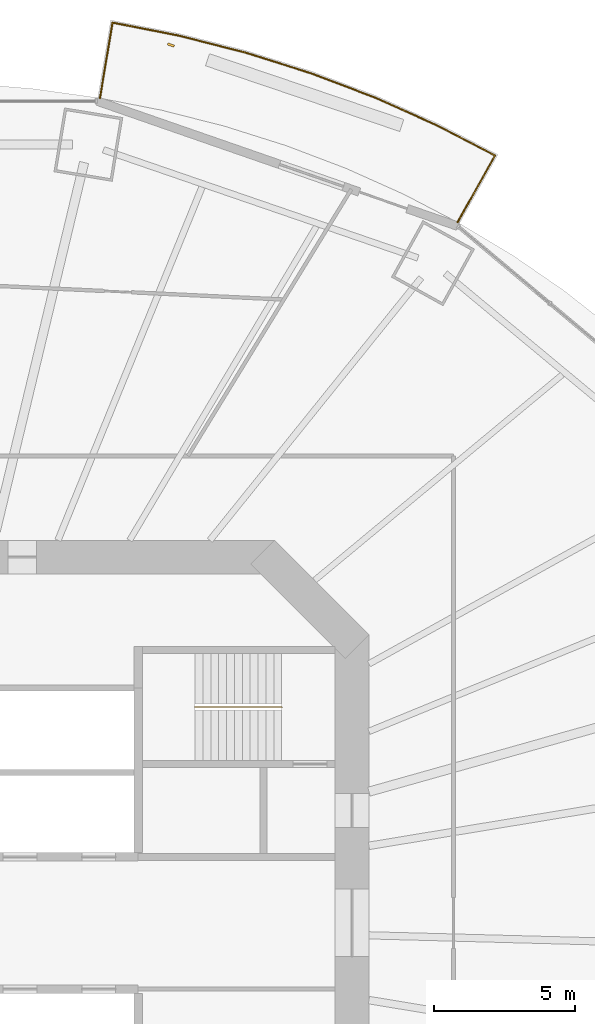
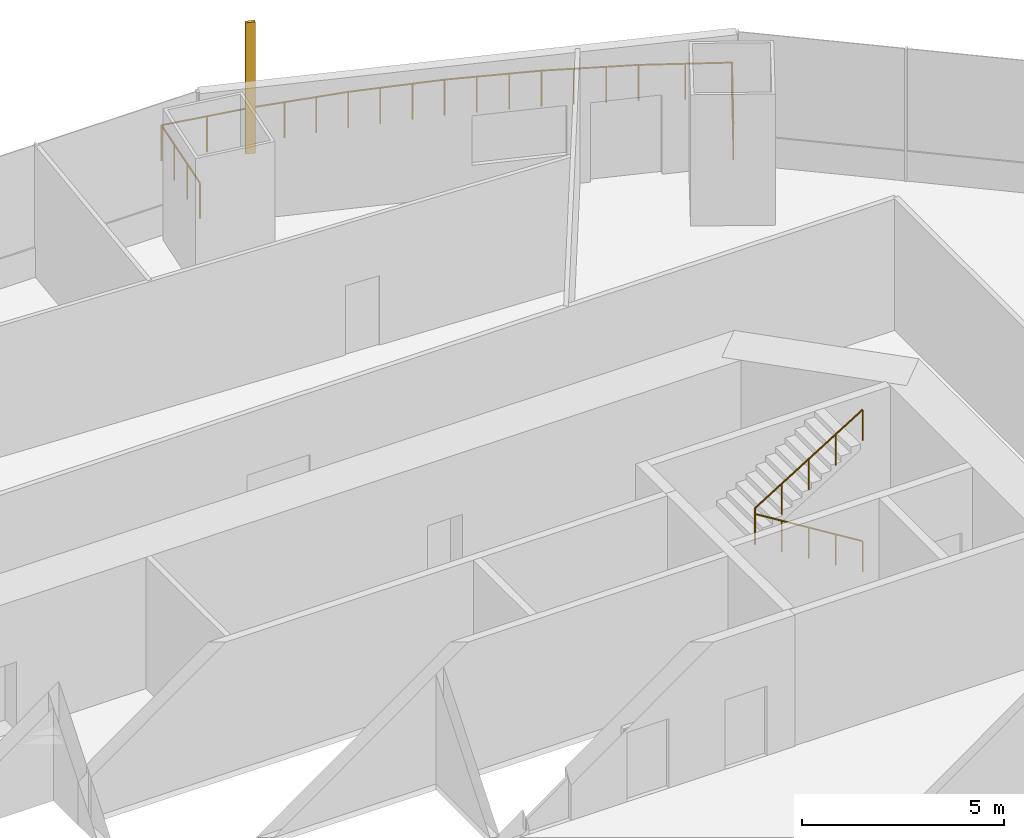
# One storey, part 20 of 22: 2 railings, 1 shading device.
"""IFC4 building model written with IfcOpenShell, lengths in metres."""

from ifc_helpers import new_model, si_unit, direction, frame, origin, origin_2d, place, context, subcontext, project, spatial, rectangle, circle, extrude, material, material_profile, profile_set, type_object, element, save


model = new_model("IFC4")

# Units and contexts
model_context = context("Model", 3, precision=1e-05, world=origin(), true_north=direction((0.0, 1.0)))
body_context = subcontext(model_context, "Body", "Model", "MODEL_VIEW")
ifc_project = project(units=[si_unit("LENGTHUNIT", "METRE"), si_unit("AREAUNIT", "SQUARE_METRE"), si_unit("VOLUMEUNIT", "CUBIC_METRE"), si_unit("PLANEANGLEUNIT", "RADIAN"), si_unit("MASSUNIT", "GRAM", prefix="KILO")], contexts=[model_context])

# Site, building, storey
site_placement = place(None, origin())
site = spatial("IfcSite", under=ifc_project, at=site_placement, CompositionType="ELEMENT")
building_placement = place(site_placement, origin())
building = spatial("IfcBuilding", under=site, at=building_placement, Name="Marenthal Gate Tower", CompositionType="ELEMENT")
storey_placement = place(building_placement, frame((0.0, 0.0, 78.64990234375)))
storey = spatial("IfcBuildingStorey", under=building, at=storey_placement, Name="L15", CompositionType="ELEMENT", Elevation=78.64990234375)

# Railings
ifc_material_1 = material(Name="Stainless steel", Category="steel")
railing_type_1 = type_object("IfcRailingType", Name="Balcony guard 1100", PredefinedType="GUARDRAIL", material=ifc_material_1)
railing_1_placement = place(storey_placement, frame((7.038330078125, 29.316162109375, 0.0)))
element("IfcRailing", 1, at=railing_1_placement, inside=storey, type_object=railing_type_1, Name="Balcony guard L15 bay 3", PredefinedType="GUARDRAIL", context=body_context, shape_type="SweptSolid", body=[
    extrude(circle(Radius=0.02392578125, at=origin_2d()), frame((0.0, 0.0, 1.076171875), z_axis=(0.164599699224, 0.98625196007, -0.014629089953), x_axis=(-0.986357511038, 0.164617315064, 0.0)), (0.0, 0.0, 1.0), 2.72021484375),
    extrude(circle(Radius=0.02392578125, at=origin_2d()), frame((0.44775390625, 2.682861328125, 1.0361328125), z_axis=(0.981255035118, -0.192713663388, 0.0), x_axis=(0.192713663388, 0.981255035118, 0.0)), (0.0, 0.0, 1.0), 2.387939453125),
    extrude(circle(Radius=0.02392578125, at=origin_2d()), frame((2.791015625, 2.22265625, 1.0361328125), z_axis=(0.969164913017, -0.246413009756, 0.0), x_axis=(0.246413009756, 0.969164913017, 0.0)), (0.0, 0.0, 1.0), 2.4580078125),
    extrude(circle(Radius=0.02392578125, at=origin_2d()), frame((5.17333984375, 1.616943359375, 1.0361328125), z_axis=(0.953650519342, -0.300916411912, 0.0), x_axis=(0.300916411912, 0.953650519342, 0.0)), (0.0, 0.0, 1.0), 2.446044921875),
    extrude(circle(Radius=0.02392578125, at=origin_2d()), frame((7.506103515625, 0.880859375, 1.0361328125), z_axis=(0.934822913626, -0.355114235366, 0.0), x_axis=(0.355114235366, 0.934822913626, 0.0)), (0.0, 0.0, 1.0), 2.431640625),
    extrude(circle(Radius=0.02392578125, at=origin_2d()), frame((9.779296875, 0.017333984375, 1.0361328125), z_axis=(0.91254444095, -0.408977558419, 0.0), x_axis=(0.408977558419, 0.91254444095, 0.0)), (0.0, 0.0, 1.0), 2.415771484375),
    extrude(circle(Radius=0.02392578125, at=origin_2d()), frame((11.98388671875, -0.970703125, 1.0361328125), z_axis=(0.887259903965, -0.461269837314, 0.0), x_axis=(0.461269837314, 0.887259903965, 0.0)), (0.0, 0.0, 1.0), 2.318359375),
    extrude(circle(Radius=0.02392578125, at=origin_2d()), frame((14.040771484375, -2.0400390625, 1.0361328125), z_axis=(-0.488917232051, -0.872207521714, 0.014628030254), x_axis=(0.872300853857, -0.488969549523, 0.0)), (0.0, 0.0, 1.0), 2.720458984375),
    extrude(circle(Radius=0.02099609375, at=origin_2d()), origin(), (0.0, 0.0, 1.0), 1.052001953125),
    extrude(circle(Radius=0.02099609375, at=origin_2d()), frame((0.149169921875, 0.894287109375, -0.01318359375)), (0.0, 0.0, 1.0), 1.052001953125),
    extrude(circle(Radius=0.02099609375, at=origin_2d()), frame((0.298583984375, 1.78857421875, -0.026611328125)), (0.0, 0.0, 1.0), 1.052001953125),
    extrude(circle(Radius=0.02099609375, at=origin_2d()), frame((0.44775390625, 2.682861328125, -0.039794921875)), (0.0, 0.0, 1.0), 1.052001953125),
    extrude(circle(Radius=0.02099609375, at=origin_2d()), frame((1.619384765625, 2.45263671875, -0.039794921875)), (0.0, 0.0, 1.0), 1.052001953125),
    extrude(circle(Radius=0.02099609375, at=origin_2d()), frame((2.791015625, 2.22265625, -0.039794921875)), (0.0, 0.0, 1.0), 1.052001953125),
    extrude(circle(Radius=0.02099609375, at=origin_2d()), frame((3.585205078125, 2.020751953125, -0.039794921875)), (0.0, 0.0, 1.0), 1.052001953125),
    extrude(circle(Radius=0.02099609375, at=origin_2d()), frame((4.379150390625, 1.81884765625, -0.039794921875)), (0.0, 0.0, 1.0), 1.052001953125),
    extrude(circle(Radius=0.02099609375, at=origin_2d()), frame((5.17333984375, 1.616943359375, -0.039794921875)), (0.0, 0.0, 1.0), 1.052001953125),
    extrude(circle(Radius=0.02099609375, at=origin_2d()), frame((5.950927734375, 1.37158203125, -0.039794921875)), (0.0, 0.0, 1.0), 1.052001953125),
    extrude(circle(Radius=0.02099609375, at=origin_2d()), frame((6.728515625, 1.126220703125, -0.039794921875)), (0.0, 0.0, 1.0), 1.052001953125),
    extrude(circle(Radius=0.02099609375, at=origin_2d()), frame((7.506103515625, 0.880859375, -0.039794921875)), (0.0, 0.0, 1.0), 1.052001953125),
    extrude(circle(Radius=0.02099609375, at=origin_2d()), frame((8.263916015625, 0.593017578125, -0.039794921875)), (0.0, 0.0, 1.0), 1.052001953125),
    extrude(circle(Radius=0.02099609375, at=origin_2d()), frame((9.021484375, 0.30517578125, -0.039794921875)), (0.0, 0.0, 1.0), 1.052001953125),
    extrude(circle(Radius=0.02099609375, at=origin_2d()), frame((9.779296875, 0.017333984375, -0.039794921875)), (0.0, 0.0, 1.0), 1.052001953125),
    extrude(circle(Radius=0.02099609375, at=origin_2d()), frame((10.51416015625, -0.31201171875, -0.039794921875)), (0.0, 0.0, 1.0), 1.052001953125),
    extrude(circle(Radius=0.02099609375, at=origin_2d()), frame((11.2490234375, -0.641357421875, -0.039794921875)), (0.0, 0.0, 1.0), 1.052001953125),
    extrude(circle(Radius=0.02099609375, at=origin_2d()), frame((11.98388671875, -0.970703125, -0.039794921875)), (0.0, 0.0, 1.0), 1.052001953125),
    extrude(circle(Radius=0.02099609375, at=origin_2d()), frame((13.01220703125, -1.50537109375, -0.039794921875)), (0.0, 0.0, 1.0), 1.052001953125),
    extrude(circle(Radius=0.02099609375, at=origin_2d()), frame((14.040771484375, -2.0400390625, -0.039794921875)), (0.0, 0.0, 1.0), 1.052001953125),
    extrude(circle(Radius=0.02099609375, at=origin_2d()), frame((13.597412109375, -2.8310546875, -0.026611328125)), (0.0, 0.0, 1.0), 1.052001953125),
    extrude(circle(Radius=0.02099609375, at=origin_2d()), frame((13.154052734375, -3.621826171875, -0.01318359375)), (0.0, 0.0, 1.0), 1.052001953125),
    extrude(circle(Radius=0.02099609375, at=origin_2d()), frame((12.710693359375, -4.412841796875, 0.0)), (0.0, 0.0, 1.0), 1.052001953125),
])
ifc_material_2 = material(Name="Stainless steel", Category="steel")
railing_type_2 = type_object("IfcRailingType", Name="Stair handrail", PredefinedType="HANDRAIL", material=ifc_material_2)
railing_2_placement = place(storey_placement, frame((13.5, 7.675048828125, 0.173095703125)))
element("IfcRailing", 2, at=railing_2_placement, inside=storey, type_object=railing_type_2, Name="Handrail ST3", PredefinedType="HANDRAIL", context=body_context, shape_type="SweptSolid", body=[
    extrude(circle(Radius=0.0224609375, at=origin_2d()), frame((0.0, 0.0, 0.927490234375), z_axis=(-0.850835241893, 0.0, 0.525432575268), x_axis=(0.0, -1.0, 0.0)), (0.0, 0.0, 1.0), 3.6201171875),
    extrude(circle(Radius=0.0224609375, at=origin_2d()), frame((-3.080078125, 0.0, 2.82958984375), z_axis=(0.0, 0.0, 1.0), x_axis=(1.0, 0.0, 0.0)), (0.0, 0.0, 1.0), 0.1728515625),
    extrude(circle(Radius=0.0224609375, at=origin_2d()), frame((-3.080078125, 0.0, 3.00244140625), z_axis=(0.850835241893, 0.0, 0.525432575268), x_axis=(0.0, 1.0, 0.0)), (0.0, 0.0, 1.0), 3.6201171875),
    extrude(circle(Radius=0.02001953125, at=origin_2d()), origin(), (0.0, 0.0, 1.0), 0.905029296875),
    extrude(circle(Radius=0.02001953125, at=origin_2d()), frame((-0.77001953125, 0.0, 0.4755859375)), (0.0, 0.0, 1.0), 0.905029296875),
    extrude(circle(Radius=0.02001953125, at=origin_2d()), frame((-1.5400390625, 0.0, 0.951171875)), (0.0, 0.0, 1.0), 0.905029296875),
    extrude(circle(Radius=0.02001953125, at=origin_2d()), frame((-2.31005859375, 0.0, 1.426513671875)), (0.0, 0.0, 1.0), 0.905029296875),
    extrude(circle(Radius=0.02001953125, at=origin_2d()), frame((-3.080078125, 0.0, 1.902099609375)), (0.0, 0.0, 1.0), 0.905029296875),
    extrude(circle(Radius=0.02001953125, at=origin_2d()), frame((-3.080078125, 0.0, 2.074951171875)), (0.0, 0.0, 1.0), 0.905029296875),
    extrude(circle(Radius=0.02001953125, at=origin_2d()), frame((-2.31005859375, 0.0, 2.550537109375)), (0.0, 0.0, 1.0), 0.905029296875),
    extrude(circle(Radius=0.02001953125, at=origin_2d()), frame((-1.5400390625, 0.0, 3.02587890625)), (0.0, 0.0, 1.0), 0.905029296875),
    extrude(circle(Radius=0.02001953125, at=origin_2d()), frame((-0.77001953125, 0.0, 3.50146484375)), (0.0, 0.0, 1.0), 0.905029296875),
    extrude(circle(Radius=0.02001953125, at=origin_2d()), frame((0.0, 0.0, 3.97705078125)), (0.0, 0.0, 1.0), 0.905029296875),
])

# Shading device
ifc_material_3 = material(Name="Terracotta", Category="masonry")
ifc_material_profile = material_profile(ifc_material_3, rectangle(XDim=0.25, YDim=0.080078125, at=origin_2d()), Name="Terracotta baguette 250x80")
ifc_profile_set = profile_set([ifc_material_profile], Name="Terracotta")
shading_device_type = type_object("IfcShadingDeviceType", Name="Terracotta BAGUETTE SCREEN 250x80", PredefinedType="USERDEFINED", material=ifc_profile_set)
shading_device_placement = place(storey_placement, frame((9.5615234375, 31.202392578125, -0.039794921875), z_axis=(0.0, 0.0, 1.0), x_axis=(-0.944656596613, 0.328060839595, 0.0)))
element("IfcShadingDevice", 3, at=shading_device_placement, inside=storey, type_object=shading_device_type, Name="Terracotta BAGUETTE L15 bay 3R", ObjectType="BAGUETTE SCREEN", PredefinedType="USERDEFINED", context=body_context, shape_type="SweptSolid", body=[
    extrude(rectangle(XDim=0.25, YDim=0.080078125, at=origin_2d()), origin(), (0.0, 0.0, 1.0), 3.969970703125),
])

save(model, "model.ifc")
